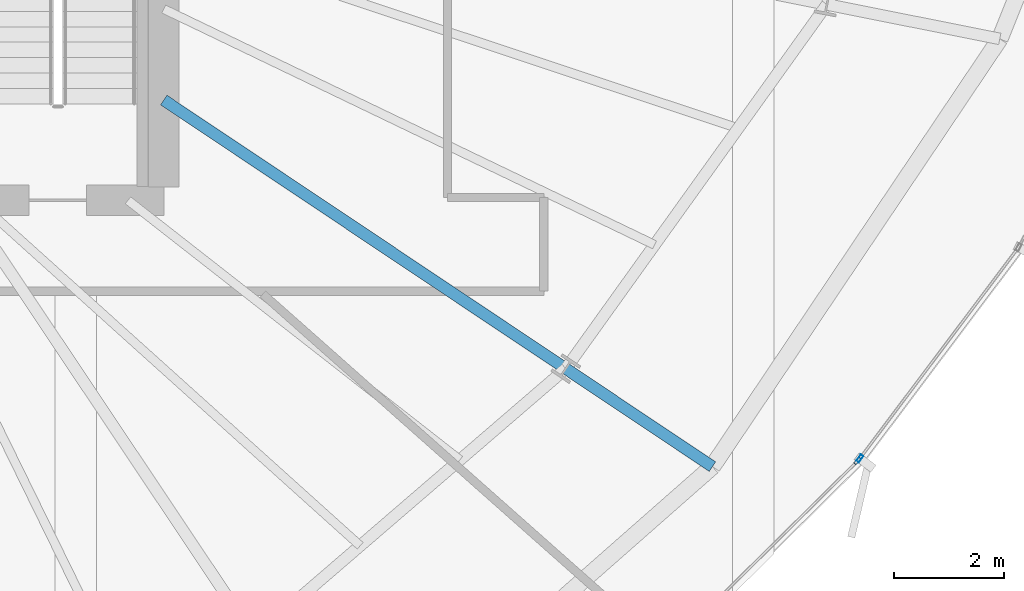
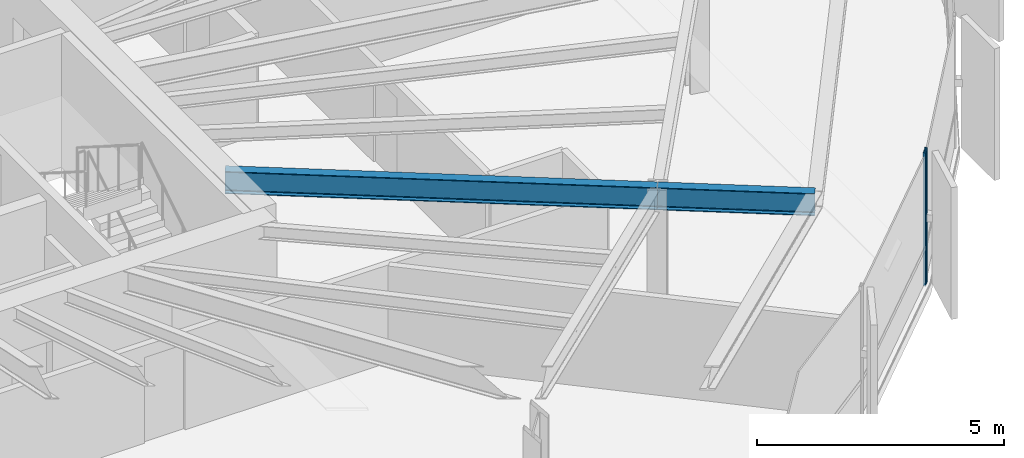
# One storey, part 15 of 37: 2 beams, 2 members, 2 elements without a shape of their own.
"""IFC4 building model written with IfcOpenShell, lengths in metres."""

from ifc_helpers import new_model, si_unit, direction, frame, origin, origin_2d, place, context, subcontext, project, spatial, hollow_rectangle, i_section, extrude, source, transform, mapped, material, layer, layer_set, material_profile, profile_set, type_object, element, aggregate, save


model = new_model("IFC4")

# Units and contexts
model_context = context("Model", 3, precision=1e-05, world=origin(), true_north=direction((0.0, 1.0)))
body_context = subcontext(model_context, "Body", "Model", "MODEL_VIEW")
ifc_project = project(units=[si_unit("LENGTHUNIT", "METRE"), si_unit("AREAUNIT", "SQUARE_METRE"), si_unit("VOLUMEUNIT", "CUBIC_METRE"), si_unit("PLANEANGLEUNIT", "RADIAN"), si_unit("MASSUNIT", "GRAM", prefix="KILO"), si_unit("THERMODYNAMICTEMPERATUREUNIT", "KELVIN")], contexts=[model_context])

# Site, building, storey
site_placement = place(None, origin())
site = spatial("IfcSite", under=ifc_project, at=site_placement, CompositionType="ELEMENT")
building_placement = place(site_placement, origin())
building = spatial("IfcBuilding", under=site, at=building_placement, Name="Kethvar Cultural Tower", CompositionType="ELEMENT")
storey_placement = place(building_placement, frame((0.0, 0.0, 132.35009765625)))
storey = spatial("IfcBuildingStorey", under=building, at=storey_placement, Name="L33", CompositionType="ELEMENT", Elevation=132.35009765625)

# Beams
ifc_material_1 = material(Name="Steel S355J2", Category="steel")
ifc_material_profile_1 = material_profile(ifc_material_1, i_section(OverallWidth=0.2099609375, OverallDepth=0.550048828125, WebThickness=0.010986328125, FlangeThickness=0.01708984375, FilletRadius=0.02392578125, at=origin_2d()), Name="Steel S355J2 — IPE550")
ifc_profile_set_1 = profile_set([ifc_material_profile_1], Name="Steel S355J2 — IPE550")
beam_type = type_object("IfcBeamType", Name="BM-IPE550", PredefinedType="BEAM", material=ifc_profile_set_1)
shared_shape_1 = source(origin(), body_context, "Body", "SweptSolid", [
    extrude(i_section(OverallWidth=0.2099609375, OverallDepth=0.550048828125, WebThickness=0.010986328125, FlangeThickness=0.01708984375, FilletRadius=0.02392578125, at=origin_2d()), origin(), (0.0, 0.0, 1.0), 3.199951171875),
])
beam_1_placement = place(storey_placement, frame((62.898681640625, 17.043212890625, 3.02294921875), z_axis=(0.831462943996, -0.555580212716, 0.0), x_axis=(0.555580212716, 0.831462943996, 0.0)))
element("IfcBeam", 1, at=beam_1_placement, inside=storey, type_object=beam_type, Name="L33 Perimeter Cantilever Beam RC-15", PredefinedType="BEAM", context=body_context, shape_type="MappedRepresentation", body=[
    mapped(shared_shape_1, transform((0.0, 0.0, 0.0), scale=1.0)),
])
shared_shape_2 = source(origin(), body_context, "Body", "SweptSolid", [
    extrude(i_section(OverallWidth=0.2099609375, OverallDepth=0.550048828125, WebThickness=0.010986328125, FlangeThickness=0.01708984375, FilletRadius=0.02392578125, at=origin_2d()), origin(), (0.0, 0.0, 1.0), 8.77783203125),
])
beam_2_placement = place(storey_placement, frame((55.60009765625, 21.919921875, 3.02294921875), z_axis=(0.831472186778, -0.555566380026, 0.0), x_axis=(0.555566380026, 0.831472186778, 0.0)))
element("IfcBeam", 2, at=beam_2_placement, inside=storey, type_object=beam_type, Name="L33 Primary Radial Beam RB-15", PredefinedType="BEAM", context=body_context, shape_type="MappedRepresentation", body=[
    mapped(shared_shape_2, transform((0.0, 0.0, 0.0), scale=1.0)),
])

# Curtain wall, member
ifc_material_2 = material(Name="Aluminium 6063-T6", Category="aluminium")
ifc_layer = layer(ifc_material_2, 0.179931640625, Name="Aluminium 6063-T6", Category="aluminium")
ifc_layer_set = layer_set([ifc_layer], Name="Aluminium 6063-T6 (180 mm)")
curtain_wall_type = type_object("IfcCurtainWallType", Name="CW-SYS-04-Z34", PredefinedType="NOTDEFINED", material=ifc_layer_set)
curtain_wall_1_placement = place(storey_placement, origin())
curtain_wall_1 = element("IfcCurtainWall", 3, at=curtain_wall_1_placement, inside=storey, type_object=curtain_wall_type, Name="L33 Curtain Wall Run 05", PredefinedType="NOTDEFINED")
ifc_material_profile_2 = material_profile(ifc_material_2, hollow_rectangle(XDim=0.06005859375, YDim=0.139892578125, WallThickness=0.0048828125, at=origin_2d()), Name="Aluminium 6063-T6 — RHS140x60x5")
ifc_profile_set_2 = profile_set([ifc_material_profile_2], Name="Aluminium 6063-T6 — RHS140x60x5")
member_type = type_object("IfcMemberType", Name="CW-SYS-04-Z34-MUL", PredefinedType="MULLION", material=ifc_profile_set_2)
shared_shape_3 = source(origin(), body_context, "Body", "SweptSolid", [
    extrude(hollow_rectangle(XDim=0.06005859375, YDim=0.139892578125, WallThickness=0.0048828125, at=origin_2d()), origin(), (0.0, 0.0, 1.0), 3.2998046875),
])
member_1_placement = place(storey_placement, frame((68.194580078125, 15.36572265625, 0.0), z_axis=(0.0, 0.0, 1.0), x_axis=(-0.703171363863, 0.711020416756, 0.0)))
member_1 = element("IfcMember", 4, at=member_1_placement, type_object=member_type, Name="CW-L33-R05 Mullion 7", PredefinedType="MULLION", context=body_context, shape_type="MappedRepresentation", body=[
    mapped(shared_shape_3, transform((0.0, 0.0, 0.0), scale=1.0)),
])
aggregate(curtain_wall_1, [member_1])

curtain_wall_2_placement = place(storey_placement, origin())
curtain_wall_2 = element("IfcCurtainWall", 5, at=curtain_wall_2_placement, inside=storey, type_object=curtain_wall_type, Name="L33 Curtain Wall Run 06", PredefinedType="NOTDEFINED")
member_2_placement = place(storey_placement, frame((68.2353515625, 15.412109375, 0.0), z_axis=(0.0, 0.0, 1.0), x_axis=(-0.799328221174, 0.600894662012, 0.0)))
member_2 = element("IfcMember", 6, at=member_2_placement, type_object=member_type, Name="CW-L33-R06 Mullion 1", PredefinedType="MULLION", context=body_context, shape_type="MappedRepresentation", body=[
    mapped(shared_shape_3, transform((0.0, 0.0, 0.0), scale=1.0)),
])
aggregate(curtain_wall_2, [member_2])

save(model, "model.ifc")
